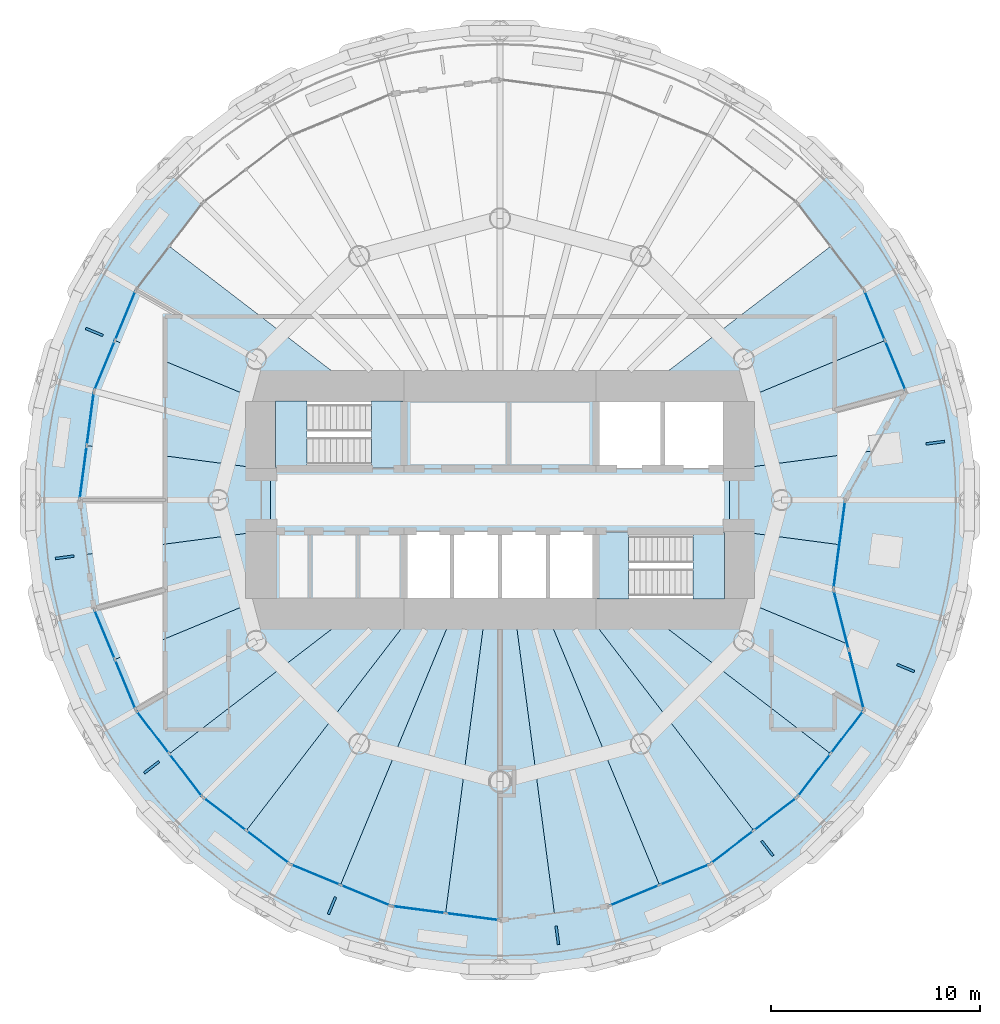
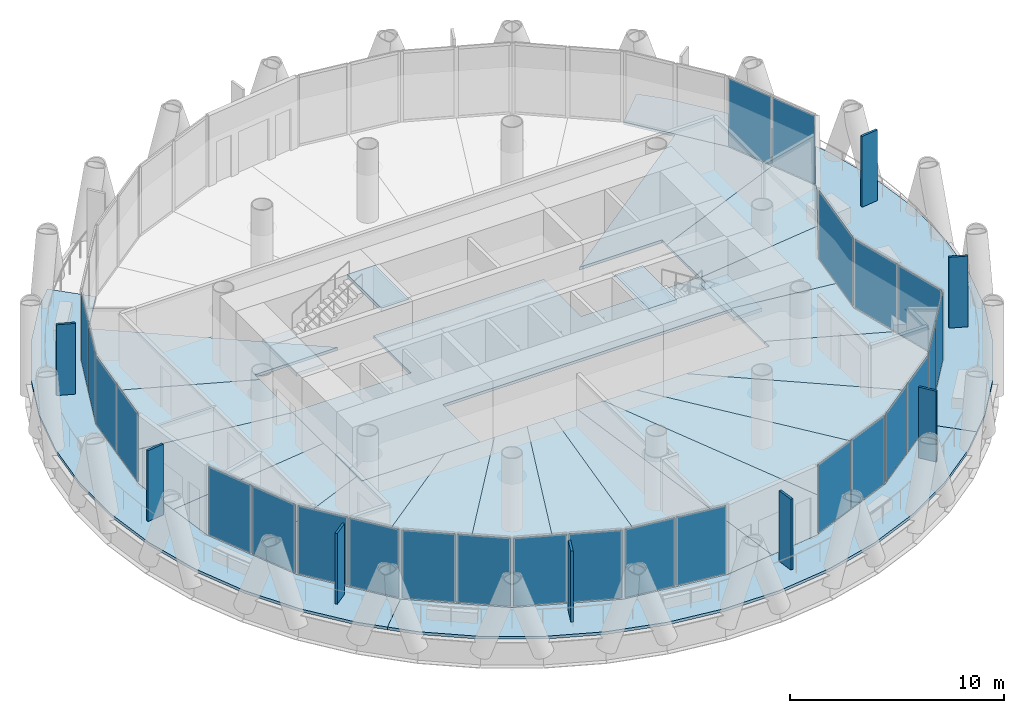
# One storey, part 7 of 13: 33 plates, 25 slabs, 15 elements without a shape of their own.
"""IFC4 building model written with IfcOpenShell, lengths in metres."""

from ifc_helpers import new_model, si_unit, direction, frame, origin, origin_2d, place, context, subcontext, project, spatial, polyline, rectangle, outline, extrude, material, layer, layer_set, type_object, element, aggregate, save


model = new_model("IFC4")

# Units and contexts
model_context = context("Model", 3, precision=1e-05, world=origin(), true_north=direction((0.0, 1.0)))
body_context = subcontext(model_context, "Body", "Model", "MODEL_VIEW")
ifc_project = project(units=[si_unit("LENGTHUNIT", "METRE"), si_unit("AREAUNIT", "SQUARE_METRE"), si_unit("VOLUMEUNIT", "CUBIC_METRE"), si_unit("PLANEANGLEUNIT", "RADIAN"), si_unit("MASSUNIT", "GRAM", prefix="KILO")], contexts=[model_context])

# Site, building, storey
site_placement = place(None, origin())
site = spatial("IfcSite", under=ifc_project, at=site_placement, CompositionType="ELEMENT")
building_placement = place(site_placement, origin())
building = spatial("IfcBuilding", under=site, at=building_placement, Name="Qaws Media Tower", CompositionType="ELEMENT")
storey_placement = place(building_placement, frame((0.0, 0.0, 223.39990234375)))
storey = spatial("IfcBuildingStorey", under=building, at=storey_placement, Name="L51", CompositionType="ELEMENT", Elevation=223.39990234375)

# Slabs
ifc_material_1 = material(Name="Concrete C35/45", Category="concrete")
ifc_layer_1 = layer(ifc_material_1, 0.159912109375)
ifc_layer_set_1 = layer_set([ifc_layer_1], Name="Composite balcony slab 160")
slab_type_1 = type_object("IfcSlabType", Name="Composite balcony slab 160", PredefinedType="FLOOR", material=ifc_layer_set_1)
slab_1_placement = place(storey_placement, frame((0.0, 0.0, -0.159912109375)))
element("IfcSlab", 1, at=slab_1_placement, inside=storey, type_object=slab_type_1, Name="S2 balcony slab L51 R10 to R16, movement joints on R10 and R16", PredefinedType="FLOOR", context=body_context, shape_type="SweptSolid", body=[
    extrude(outline(polyline([(43.0458984375, 35.1318359375), (41.25048828125, 37.471923828125), (39.775390625, 40.0263671875), (38.646728515625, 42.75146484375), (37.88330078125, 45.6005859375), (37.498291015625, 48.525146484375), (37.498291015625, 51.474853515625), (37.88330078125, 54.3994140625), (38.646728515625, 57.24853515625), (39.775390625, 59.9736328125), (41.25048828125, 62.528076171875), (43.0458984375, 64.8681640625), (44.0888671875, 65.9111328125), (45.751708984375, 64.248291015625), (42.549560546875, 60.074951171875), (40.53662109375, 55.215087890625), (39.85009765625, 50.0), (40.53662109375, 44.784912109375), (42.549560546875, 39.925048828125), (45.751708984375, 35.751708984375), (44.0888671875, 34.0888671875), (43.0458984375, 35.1318359375)])), origin(), (0.0, 0.0, 1.0), 0.159912109375),
])
slab_2_placement = place(storey_placement, frame((0.0, 0.0, -0.159912109375)))
element("IfcSlab", 2, at=slab_2_placement, inside=storey, type_object=slab_type_1, Name="S2 balcony slab L51 R16 to R22, movement joints on R16 and R22", PredefinedType="FLOOR", context=body_context, shape_type="SweptSolid", body=[
    extrude(outline(polyline([(74.8681640625, 33.0458984375), (72.528076171875, 31.25048828125), (69.9736328125, 29.775390625), (67.24853515625, 28.646728515625), (64.3994140625, 27.88330078125), (61.474853515625, 27.498291015625), (58.525146484375, 27.498291015625), (55.6005859375, 27.88330078125), (52.75146484375, 28.646728515625), (50.0263671875, 29.775390625), (47.471923828125, 31.25048828125), (45.1318359375, 33.0458984375), (44.0888671875, 34.0888671875), (45.751708984375, 35.751708984375), (49.925048828125, 32.549560546875), (54.784912109375, 30.53662109375), (60.0, 29.85009765625), (65.215087890625, 30.53662109375), (70.074951171875, 32.549560546875), (74.248291015625, 35.751708984375), (75.9111328125, 34.0888671875), (74.8681640625, 33.0458984375)])), origin(), (0.0, 0.0, 1.0), 0.159912109375),
])
slab_3_placement = place(storey_placement, frame((0.0, 0.0, -0.159912109375)))
element("IfcSlab", 3, at=slab_3_placement, inside=storey, type_object=slab_type_1, Name="S2 balcony slab L51 R22 to R04, movement joints on R22 and R04", PredefinedType="FLOOR", context=body_context, shape_type="SweptSolid", body=[
    extrude(outline(polyline([(82.11669921875, 45.6005859375), (81.353271484375, 42.75146484375), (80.224609375, 40.0263671875), (78.74951171875, 37.471923828125), (76.9541015625, 35.1318359375), (75.9111328125, 34.0888671875), (74.248291015625, 35.751708984375), (77.450439453125, 39.925048828125), (75.986083984375, 45.716552734375), (76.550048828125, 50.0), (79.46337890625, 55.215087890625), (77.450439453125, 60.074951171875), (74.248291015625, 64.248291015625), (75.9111328125, 65.9111328125), (76.9541015625, 64.8681640625), (78.74951171875, 62.528076171875), (80.224609375, 59.9736328125), (81.353271484375, 57.24853515625), (82.11669921875, 54.3994140625), (82.501708984375, 51.474853515625), (82.501708984375, 48.525146484375), (82.11669921875, 45.6005859375)])), origin(), (0.0, 0.0, 1.0), 0.159912109375),
])
ifc_material_2 = material(Name="Concrete C35/45", Category="concrete")
ifc_layer_2 = layer(ifc_material_2, 0.159912109375)
ifc_layer_set_2 = layer_set([ifc_layer_2], Name="Composite floor slab 160")
slab_type_2 = type_object("IfcSlabType", Name="Composite floor slab 160", PredefinedType="FLOOR", material=ifc_layer_set_2)
slab_4_placement = place(storey_placement, frame((0.0, 0.0, -0.159912109375)))
element("IfcSlab", 4, at=slab_4_placement, inside=storey, type_object=slab_type_2, Name="S1 core floor slab L51", PredefinedType="FLOOR", context=body_context, shape_type="SweptSolid", body=[
    extrude(outline(polyline([(71.0, 51.5), (71.0, 48.5), (55.39990234375, 48.5), (55.39990234375, 45.0), (49.0, 45.0), (49.0, 51.5), (55.39990234375, 51.5), (55.39990234375, 55.0), (64.60009765625, 55.0), (64.60009765625, 51.5), (71.0, 51.5)])), origin(), (0.0, 0.0, 1.0), 0.159912109375),
])
slab_5_placement = place(storey_placement, frame((0.0, 0.0, -0.159912109375)))
element("IfcSlab", 5, at=slab_5_placement, inside=storey, type_object=slab_type_2, Name="S1 floor panel L51 on R01", PredefinedType="FLOOR", context=body_context, shape_type="SweptSolid", body=[
    extrude(outline(polyline([(76.550048828125, 50.0), (76.26806640625, 47.8583984375), (71.0, 48.5517578125), (71.0, 51.4482421875), (77.86376953125, 52.351806640625), (76.550048828125, 50.0)])), origin(), (0.0, 0.0, 1.0), 0.159912109375),
])
slab_6_placement = place(storey_placement, frame((0.0, 0.0, -0.159912109375)))
element("IfcSlab", 6, at=slab_6_placement, inside=storey, type_object=slab_type_2, Name="S1 floor panel L51 on R02", PredefinedType="FLOOR", context=body_context, shape_type="SweptSolid", body=[
    extrude(outline(polyline([(79.46337890625, 55.215087890625), (77.86376953125, 52.351806640625), (71.0, 51.4482421875), (71.0, 54.556396484375), (78.456787109375, 57.64501953125), (79.46337890625, 55.215087890625)])), origin(), (0.0, 0.0, 1.0), 0.159912109375),
])
slab_7_placement = place(storey_placement, frame((0.0, 0.0, -0.159912109375)))
element("IfcSlab", 7, at=slab_7_placement, inside=storey, type_object=slab_type_2, Name="S1 floor panel L51 on R03", PredefinedType="FLOOR", context=body_context, shape_type="SweptSolid", body=[
    extrude(outline(polyline([(77.450439453125, 60.074951171875), (78.456787109375, 57.64501953125), (71.0, 54.556396484375), (71.0, 55.0), (66.51611328125, 55.0), (75.849365234375, 62.16162109375), (77.450439453125, 60.074951171875)])), origin(), (0.0, 0.0, 1.0), 0.159912109375),
])
slab_8_placement = place(storey_placement, frame((0.0, 0.0, -0.159912109375)))
element("IfcSlab", 8, at=slab_8_placement, inside=storey, type_object=slab_type_2, Name="S1 floor panel L51 on R11", PredefinedType="FLOOR", context=body_context, shape_type="SweptSolid", body=[
    extrude(outline(polyline([(42.549560546875, 60.074951171875), (44.150634765625, 62.16162109375), (53.48388671875, 55.0), (49.0, 55.0), (49.0, 54.556396484375), (41.543212890625, 57.64501953125), (42.549560546875, 60.074951171875)])), origin(), (0.0, 0.0, 1.0), 0.159912109375),
])
slab_9_placement = place(storey_placement, frame((0.0, 0.0, -0.159912109375)))
element("IfcSlab", 9, at=slab_9_placement, inside=storey, type_object=slab_type_2, Name="S1 floor panel L51 on R12", PredefinedType="FLOOR", context=body_context, shape_type="SweptSolid", body=[
    extrude(outline(polyline([(40.53662109375, 55.215087890625), (41.543212890625, 57.64501953125), (49.0, 54.556396484375), (49.0, 51.4482421875), (40.193359375, 52.607666015625), (40.53662109375, 55.215087890625)])), origin(), (0.0, 0.0, 1.0), 0.159912109375),
])
slab_10_placement = place(storey_placement, frame((0.0, 0.0, -0.159912109375)))
element("IfcSlab", 10, at=slab_10_placement, inside=storey, type_object=slab_type_2, Name="S1 floor panel L51 on R13", PredefinedType="FLOOR", context=body_context, shape_type="SweptSolid", body=[
    extrude(outline(polyline([(39.85009765625, 50.0), (40.193359375, 52.607666015625), (49.0, 51.4482421875), (49.0, 48.5517578125), (40.193359375, 47.392333984375), (39.85009765625, 50.0)])), origin(), (0.0, 0.0, 1.0), 0.159912109375),
])
slab_11_placement = place(storey_placement, frame((0.0, 0.0, -0.159912109375)))
element("IfcSlab", 11, at=slab_11_placement, inside=storey, type_object=slab_type_2, Name="S1 floor panel L51 on R14", PredefinedType="FLOOR", context=body_context, shape_type="SweptSolid", body=[
    extrude(outline(polyline([(40.53662109375, 44.784912109375), (40.193359375, 47.392333984375), (49.0, 48.5517578125), (49.0, 45.443603515625), (41.543212890625, 42.35498046875), (40.53662109375, 44.784912109375)])), origin(), (0.0, 0.0, 1.0), 0.159912109375),
])
slab_12_placement = place(storey_placement, frame((0.0, 0.0, -0.159912109375)))
element("IfcSlab", 12, at=slab_12_placement, inside=storey, type_object=slab_type_2, Name="S1 floor panel L51 on R15", PredefinedType="FLOOR", context=body_context, shape_type="SweptSolid", body=[
    extrude(outline(polyline([(42.549560546875, 39.925048828125), (41.543212890625, 42.35498046875), (49.0, 45.443603515625), (49.0, 45.0), (53.48388671875, 45.0), (44.150634765625, 37.83837890625), (42.549560546875, 39.925048828125)])), origin(), (0.0, 0.0, 1.0), 0.159912109375),
])
slab_13_placement = place(storey_placement, frame((0.0, 0.0, -0.159912109375)))
element("IfcSlab", 13, at=slab_13_placement, inside=storey, type_object=slab_type_2, Name="S1 floor panel L51 on R16", PredefinedType="FLOOR", context=body_context, shape_type="SweptSolid", body=[
    extrude(outline(polyline([(45.751708984375, 35.751708984375), (44.150634765625, 37.83837890625), (53.48388671875, 45.0), (56.163330078125, 45.0), (47.83837890625, 34.150634765625), (45.751708984375, 35.751708984375)])), origin(), (0.0, 0.0, 1.0), 0.159912109375),
])
slab_14_placement = place(storey_placement, frame((0.0, 0.0, -0.159912109375)))
element("IfcSlab", 14, at=slab_14_placement, inside=storey, type_object=slab_type_2, Name="S1 floor panel L51 on R17", PredefinedType="FLOOR", context=body_context, shape_type="SweptSolid", body=[
    extrude(outline(polyline([(49.925048828125, 32.549560546875), (47.83837890625, 34.150634765625), (56.163330078125, 45.0), (57.928955078125, 45.0), (52.35498046875, 31.543212890625), (49.925048828125, 32.549560546875)])), origin(), (0.0, 0.0, 1.0), 0.159912109375),
])
slab_15_placement = place(storey_placement, frame((0.0, 0.0, -0.159912109375)))
element("IfcSlab", 15, at=slab_15_placement, inside=storey, type_object=slab_type_2, Name="S1 floor panel L51 on R18", PredefinedType="FLOOR", context=body_context, shape_type="SweptSolid", body=[
    extrude(outline(polyline([(54.784912109375, 30.53662109375), (52.35498046875, 31.543212890625), (57.928955078125, 45.0), (59.341796875, 45.0), (57.392333984375, 30.193359375), (54.784912109375, 30.53662109375)])), origin(), (0.0, 0.0, 1.0), 0.159912109375),
])
slab_16_placement = place(storey_placement, frame((0.0, 0.0, -0.159912109375)))
element("IfcSlab", 16, at=slab_16_placement, inside=storey, type_object=slab_type_2, Name="S1 floor panel L51 on R19", PredefinedType="FLOOR", context=body_context, shape_type="SweptSolid", body=[
    extrude(outline(polyline([(60.0, 29.85009765625), (57.392333984375, 30.193359375), (59.341796875, 45.0), (60.658203125, 45.0), (62.607666015625, 30.193359375), (60.0, 29.85009765625)])), origin(), (0.0, 0.0, 1.0), 0.159912109375),
])
slab_17_placement = place(storey_placement, frame((0.0, 0.0, -0.159912109375)))
element("IfcSlab", 17, at=slab_17_placement, inside=storey, type_object=slab_type_2, Name="S1 floor panel L51 on R20", PredefinedType="FLOOR", context=body_context, shape_type="SweptSolid", body=[
    extrude(outline(polyline([(65.215087890625, 30.53662109375), (62.607666015625, 30.193359375), (60.658203125, 45.0), (62.071044921875, 45.0), (67.64501953125, 31.543212890625), (65.215087890625, 30.53662109375)])), origin(), (0.0, 0.0, 1.0), 0.159912109375),
])
slab_18_placement = place(storey_placement, frame((0.0, 0.0, -0.159912109375)))
element("IfcSlab", 18, at=slab_18_placement, inside=storey, type_object=slab_type_2, Name="S1 floor panel L51 on R21", PredefinedType="FLOOR", context=body_context, shape_type="SweptSolid", body=[
    extrude(outline(polyline([(70.074951171875, 32.549560546875), (67.64501953125, 31.543212890625), (62.071044921875, 45.0), (63.836669921875, 45.0), (72.16162109375, 34.150634765625), (70.074951171875, 32.549560546875)])), origin(), (0.0, 0.0, 1.0), 0.159912109375),
])
slab_19_placement = place(storey_placement, frame((0.0, 0.0, -0.159912109375)))
element("IfcSlab", 19, at=slab_19_placement, inside=storey, type_object=slab_type_2, Name="S1 floor panel L51 on R22", PredefinedType="FLOOR", context=body_context, shape_type="SweptSolid", body=[
    extrude(outline(polyline([(74.248291015625, 35.751708984375), (72.16162109375, 34.150634765625), (63.836669921875, 45.0), (66.51611328125, 45.0), (75.849365234375, 37.83837890625), (74.248291015625, 35.751708984375)])), origin(), (0.0, 0.0, 1.0), 0.159912109375),
])
slab_20_placement = place(storey_placement, frame((0.0, 0.0, -0.159912109375)))
element("IfcSlab", 20, at=slab_20_placement, inside=storey, type_object=slab_type_2, Name="S1 floor panel L51 on R23", PredefinedType="FLOOR", context=body_context, shape_type="SweptSolid", body=[
    extrude(outline(polyline([(77.450439453125, 39.925048828125), (75.849365234375, 37.83837890625), (66.51611328125, 45.0), (71.0, 45.0), (71.0, 45.443603515625), (76.646484375, 43.104736328125), (77.450439453125, 39.925048828125)])), origin(), (0.0, 0.0, 1.0), 0.159912109375),
])
slab_21_placement = place(storey_placement, frame((0.0, 0.0, -0.159912109375)))
element("IfcSlab", 21, at=slab_21_placement, inside=storey, type_object=slab_type_2, Name="S1 floor panel L51 on R24", PredefinedType="FLOOR", context=body_context, shape_type="SweptSolid", body=[
    extrude(outline(polyline([(76.646484375, 43.104736328125), (71.0, 45.443603515625), (71.0, 48.5517578125), (76.26806640625, 47.8583984375), (75.986083984375, 45.716552734375), (76.646484375, 43.104736328125)])), origin(), (0.0, 0.0, 1.0), 0.159912109375),
])

# Curtain wall, plates
ifc_material_3 = material(Name="Aluminium and clear glass", Category="aluminium")
curtain_wall_type_1 = type_object("IfcCurtainWallType", Name="Unitised curtain wall CW-C", PredefinedType="NOTDEFINED", material=ifc_material_3)
curtain_wall_1_placement = place(storey_placement, origin())
curtain_wall_1 = element("IfcCurtainWall", 22, at=curtain_wall_1_placement, inside=storey, type_object=curtain_wall_type_1, Name="CWC curtain wall L51-02", PredefinedType="NOTDEFINED")
ifc_material_4 = material(Name="Clear laminated double glazing", Category="glass")
ifc_layer_3 = layer(ifc_material_4, 0.031982421875)
ifc_layer_set_3 = layer_set([ifc_layer_3], Name="Curtain wall glass unit 32")
plate_type_1 = type_object("IfcPlateType", Name="Curtain wall glass unit 32", PredefinedType="CURTAIN_PANEL", material=ifc_layer_set_3)
plate_1_placement = place(storey_placement, frame((78.952392578125, 56.44873046875, 0.080078125), z_axis=(0.0, 0.0, 1.0), x_axis=(-0.382683365254, 0.92387956031, 0.0)))
plate_1 = element("IfcPlate", 23, at=plate_1_placement, type_object=plate_type_1, Name="CWC panel 1.1", PredefinedType="CURTAIN_PANEL", context=body_context, shape_type="SweptSolid", body=[
    extrude(rectangle(XDim=2.510009765625, YDim=0.031982421875, at=origin_2d()), origin(), (0.0, 0.0, 1.0), 3.8798828125),
])
plate_2_placement = place(storey_placement, frame((77.96142578125, 58.841552734375, 0.080078125), z_axis=(0.0, 0.0, 1.0), x_axis=(-0.382683365254, 0.92387956031, 0.0)))
plate_2 = element("IfcPlate", 24, at=plate_2_placement, type_object=plate_type_1, Name="CWC panel 2.1", PredefinedType="CURTAIN_PANEL", context=body_context, shape_type="SweptSolid", body=[
    extrude(rectangle(XDim=2.510009765625, YDim=0.031982421875, at=origin_2d()), origin(), (0.0, 0.0, 1.0), 3.8798828125),
])
aggregate(curtain_wall_1, [plate_1, plate_2])

curtain_wall_2_placement = place(storey_placement, origin())
curtain_wall_2 = element("IfcCurtainWall", 25, at=curtain_wall_2_placement, inside=storey, type_object=curtain_wall_type_1, Name="CWC curtain wall L51-11", PredefinedType="NOTDEFINED")
plate_3_placement = place(storey_placement, frame((42.03857421875, 58.841552734375, 0.080078125), z_axis=(0.0, 0.0, 1.0), x_axis=(-0.382683365254, -0.92387956031, 0.0)))
plate_3 = element("IfcPlate", 26, at=plate_3_placement, type_object=plate_type_1, Name="CWC panel 1.1", PredefinedType="CURTAIN_PANEL", context=body_context, shape_type="SweptSolid", body=[
    extrude(rectangle(XDim=2.510009765625, YDim=0.031982421875, at=origin_2d()), origin(), (0.0, 0.0, 1.0), 3.8798828125),
])
plate_4_placement = place(storey_placement, frame((41.047607421875, 56.44873046875, 0.080078125), z_axis=(0.0, 0.0, 1.0), x_axis=(-0.382683365254, -0.92387956031, 0.0)))
plate_4 = element("IfcPlate", 27, at=plate_4_placement, type_object=plate_type_1, Name="CWC panel 2.1", PredefinedType="CURTAIN_PANEL", context=body_context, shape_type="SweptSolid", body=[
    extrude(rectangle(XDim=2.510009765625, YDim=0.031982421875, at=origin_2d()), origin(), (0.0, 0.0, 1.0), 3.8798828125),
])
aggregate(curtain_wall_2, [plate_3, plate_4])

curtain_wall_3_placement = place(storey_placement, origin())
curtain_wall_3 = element("IfcCurtainWall", 28, at=curtain_wall_3_placement, inside=storey, type_object=curtain_wall_type_1, Name="CWC curtain wall L51-12", PredefinedType="NOTDEFINED")
plate_5_placement = place(storey_placement, frame((40.3623046875, 53.8916015625, 0.080078125), z_axis=(0.0, 0.0, 1.0), x_axis=(-0.130526260986, -0.991444852321, 0.0)))
plate_5 = element("IfcPlate", 29, at=plate_5_placement, type_object=plate_type_1, Name="CWC panel 1.1", PredefinedType="CURTAIN_PANEL", context=body_context, shape_type="SweptSolid", body=[
    extrude(rectangle(XDim=2.510009765625, YDim=0.031982421875, at=origin_2d()), origin(), (0.0, 0.0, 1.0), 3.8798828125),
])
plate_6_placement = place(storey_placement, frame((40.024169921875, 51.32373046875, 0.080078125), z_axis=(0.0, 0.0, 1.0), x_axis=(-0.130526260986, -0.991444852321, 0.0)))
plate_6 = element("IfcPlate", 30, at=plate_6_placement, type_object=plate_type_1, Name="CWC panel 2.1", PredefinedType="CURTAIN_PANEL", context=body_context, shape_type="SweptSolid", body=[
    extrude(rectangle(XDim=2.510009765625, YDim=0.031982421875, at=origin_2d()), origin(), (0.0, 0.0, 1.0), 3.8798828125),
])
aggregate(curtain_wall_3, [plate_5, plate_6])

curtain_wall_4_placement = place(storey_placement, origin())
curtain_wall_4 = element("IfcCurtainWall", 31, at=curtain_wall_4_placement, inside=storey, type_object=curtain_wall_type_1, Name="CWC curtain wall L51-14", PredefinedType="NOTDEFINED")
plate_7_placement = place(storey_placement, frame((41.047607421875, 43.55126953125, 0.080078125), z_axis=(0.0, 0.0, 1.0), x_axis=(0.382683365254, -0.92387956031, 0.0)))
plate_7 = element("IfcPlate", 32, at=plate_7_placement, type_object=plate_type_1, Name="CWC panel 1.1", PredefinedType="CURTAIN_PANEL", context=body_context, shape_type="SweptSolid", body=[
    extrude(rectangle(XDim=2.510009765625, YDim=0.031982421875, at=origin_2d()), origin(), (0.0, 0.0, 1.0), 3.8798828125),
])
plate_8_placement = place(storey_placement, frame((42.03857421875, 41.158447265625, 0.080078125), z_axis=(0.0, 0.0, 1.0), x_axis=(0.382683365254, -0.92387956031, 0.0)))
plate_8 = element("IfcPlate", 33, at=plate_8_placement, type_object=plate_type_1, Name="CWC panel 2.1", PredefinedType="CURTAIN_PANEL", context=body_context, shape_type="SweptSolid", body=[
    extrude(rectangle(XDim=2.510009765625, YDim=0.031982421875, at=origin_2d()), origin(), (0.0, 0.0, 1.0), 3.8798828125),
])
aggregate(curtain_wall_4, [plate_7, plate_8])

curtain_wall_5_placement = place(storey_placement, origin())
curtain_wall_5 = element("IfcCurtainWall", 34, at=curtain_wall_5_placement, inside=storey, type_object=curtain_wall_type_1, Name="CWC curtain wall L51-15", PredefinedType="NOTDEFINED")
plate_9_placement = place(storey_placement, frame((43.3623046875, 38.86572265625, 0.080078125), z_axis=(0.0, 0.0, 1.0), x_axis=(0.608761366685, -0.793353388114, 0.0)))
plate_9 = element("IfcPlate", 35, at=plate_9_placement, type_object=plate_type_1, Name="CWC panel 1.1", PredefinedType="CURTAIN_PANEL", context=body_context, shape_type="SweptSolid", body=[
    extrude(rectangle(XDim=2.510009765625, YDim=0.031982421875, at=origin_2d()), origin(), (0.0, 0.0, 1.0), 3.8798828125),
])
plate_10_placement = place(storey_placement, frame((44.93896484375, 36.81103515625, 0.080078125), z_axis=(0.0, 0.0, 1.0), x_axis=(0.608761366685, -0.793353388114, 0.0)))
plate_10 = element("IfcPlate", 36, at=plate_10_placement, type_object=plate_type_1, Name="CWC panel 2.1", PredefinedType="CURTAIN_PANEL", context=body_context, shape_type="SweptSolid", body=[
    extrude(rectangle(XDim=2.510009765625, YDim=0.031982421875, at=origin_2d()), origin(), (0.0, 0.0, 1.0), 3.8798828125),
])
aggregate(curtain_wall_5, [plate_9, plate_10])

curtain_wall_6_placement = place(storey_placement, origin())
curtain_wall_6 = element("IfcCurtainWall", 37, at=curtain_wall_6_placement, inside=storey, type_object=curtain_wall_type_1, Name="CWC curtain wall L51-16", PredefinedType="NOTDEFINED")
plate_11_placement = place(storey_placement, frame((46.81103515625, 34.93896484375, 0.080078125), z_axis=(0.0, 0.0, 1.0), x_axis=(0.793353388114, -0.608761366685, 0.0)))
plate_11 = element("IfcPlate", 38, at=plate_11_placement, type_object=plate_type_1, Name="CWC panel 1.1", PredefinedType="CURTAIN_PANEL", context=body_context, shape_type="SweptSolid", body=[
    extrude(rectangle(XDim=2.510009765625, YDim=0.031982421875, at=origin_2d()), origin(), (0.0, 0.0, 1.0), 3.8798828125),
])
plate_12_placement = place(storey_placement, frame((48.86572265625, 33.3623046875, 0.080078125), z_axis=(0.0, 0.0, 1.0), x_axis=(0.793353388114, -0.608761366685, 0.0)))
plate_12 = element("IfcPlate", 39, at=plate_12_placement, type_object=plate_type_1, Name="CWC panel 2.1", PredefinedType="CURTAIN_PANEL", context=body_context, shape_type="SweptSolid", body=[
    extrude(rectangle(XDim=2.510009765625, YDim=0.031982421875, at=origin_2d()), origin(), (0.0, 0.0, 1.0), 3.8798828125),
])
aggregate(curtain_wall_6, [plate_11, plate_12])

curtain_wall_7_placement = place(storey_placement, origin())
curtain_wall_7 = element("IfcCurtainWall", 40, at=curtain_wall_7_placement, inside=storey, type_object=curtain_wall_type_1, Name="CWC curtain wall L51-17", PredefinedType="NOTDEFINED")
plate_13_placement = place(storey_placement, frame((51.158447265625, 32.03857421875, 0.080078125), z_axis=(0.0, 0.0, 1.0), x_axis=(0.92387956031, -0.382683365254, 0.0)))
plate_13 = element("IfcPlate", 41, at=plate_13_placement, type_object=plate_type_1, Name="CWC panel 1.1", PredefinedType="CURTAIN_PANEL", context=body_context, shape_type="SweptSolid", body=[
    extrude(rectangle(XDim=2.510009765625, YDim=0.031982421875, at=origin_2d()), origin(), (0.0, 0.0, 1.0), 3.8798828125),
])
plate_14_placement = place(storey_placement, frame((53.55126953125, 31.047607421875, 0.080078125), z_axis=(0.0, 0.0, 1.0), x_axis=(0.92387956031, -0.382683365254, 0.0)))
plate_14 = element("IfcPlate", 42, at=plate_14_placement, type_object=plate_type_1, Name="CWC panel 2.1", PredefinedType="CURTAIN_PANEL", context=body_context, shape_type="SweptSolid", body=[
    extrude(rectangle(XDim=2.510009765625, YDim=0.031982421875, at=origin_2d()), origin(), (0.0, 0.0, 1.0), 3.8798828125),
])
aggregate(curtain_wall_7, [plate_13, plate_14])

curtain_wall_8_placement = place(storey_placement, origin())
curtain_wall_8 = element("IfcCurtainWall", 43, at=curtain_wall_8_placement, inside=storey, type_object=curtain_wall_type_1, Name="CWC curtain wall L51-18", PredefinedType="NOTDEFINED")
plate_15_placement = place(storey_placement, frame((56.1083984375, 30.3623046875, 0.080078125), z_axis=(0.0, 0.0, 1.0), x_axis=(0.991444852321, -0.130526260986, 0.0)))
plate_15 = element("IfcPlate", 44, at=plate_15_placement, type_object=plate_type_1, Name="CWC panel 1.1", PredefinedType="CURTAIN_PANEL", context=body_context, shape_type="SweptSolid", body=[
    extrude(rectangle(XDim=2.510009765625, YDim=0.031982421875, at=origin_2d()), origin(), (0.0, 0.0, 1.0), 3.8798828125),
])
plate_16_placement = place(storey_placement, frame((58.67626953125, 30.024169921875, 0.080078125), z_axis=(0.0, 0.0, 1.0), x_axis=(0.991444852321, -0.130526260986, 0.0)))
plate_16 = element("IfcPlate", 45, at=plate_16_placement, type_object=plate_type_1, Name="CWC panel 2.1", PredefinedType="CURTAIN_PANEL", context=body_context, shape_type="SweptSolid", body=[
    extrude(rectangle(XDim=2.510009765625, YDim=0.031982421875, at=origin_2d()), origin(), (0.0, 0.0, 1.0), 3.8798828125),
])
aggregate(curtain_wall_8, [plate_15, plate_16])

curtain_wall_9_placement = place(storey_placement, origin())
curtain_wall_9 = element("IfcCurtainWall", 46, at=curtain_wall_9_placement, inside=storey, type_object=curtain_wall_type_1, Name="CWC curtain wall L51-20", PredefinedType="NOTDEFINED")
plate_17_placement = place(storey_placement, frame((66.44873046875, 31.047607421875, 0.080078125), z_axis=(0.0, 0.0, 1.0), x_axis=(0.92387956031, 0.382683365254, 0.0)))
plate_17 = element("IfcPlate", 47, at=plate_17_placement, type_object=plate_type_1, Name="CWC panel 1.1", PredefinedType="CURTAIN_PANEL", context=body_context, shape_type="SweptSolid", body=[
    extrude(rectangle(XDim=2.510009765625, YDim=0.031982421875, at=origin_2d()), origin(), (0.0, 0.0, 1.0), 3.8798828125),
])
plate_18_placement = place(storey_placement, frame((68.841552734375, 32.03857421875, 0.080078125), z_axis=(0.0, 0.0, 1.0), x_axis=(0.92387956031, 0.382683365254, 0.0)))
plate_18 = element("IfcPlate", 48, at=plate_18_placement, type_object=plate_type_1, Name="CWC panel 2.1", PredefinedType="CURTAIN_PANEL", context=body_context, shape_type="SweptSolid", body=[
    extrude(rectangle(XDim=2.510009765625, YDim=0.031982421875, at=origin_2d()), origin(), (0.0, 0.0, 1.0), 3.8798828125),
])
aggregate(curtain_wall_9, [plate_17, plate_18])

curtain_wall_10_placement = place(storey_placement, origin())
curtain_wall_10 = element("IfcCurtainWall", 49, at=curtain_wall_10_placement, inside=storey, type_object=curtain_wall_type_1, Name="CWC curtain wall L51-21", PredefinedType="NOTDEFINED")
plate_19_placement = place(storey_placement, frame((71.13427734375, 33.3623046875, 0.080078125), z_axis=(0.0, 0.0, 1.0), x_axis=(0.793353388114, 0.608761366685, 0.0)))
plate_19 = element("IfcPlate", 50, at=plate_19_placement, type_object=plate_type_1, Name="CWC panel 1.1", PredefinedType="CURTAIN_PANEL", context=body_context, shape_type="SweptSolid", body=[
    extrude(rectangle(XDim=2.510009765625, YDim=0.031982421875, at=origin_2d()), origin(), (0.0, 0.0, 1.0), 3.8798828125),
])
plate_20_placement = place(storey_placement, frame((73.18896484375, 34.93896484375, 0.080078125), z_axis=(0.0, 0.0, 1.0), x_axis=(0.793353388114, 0.608761366685, 0.0)))
plate_20 = element("IfcPlate", 51, at=plate_20_placement, type_object=plate_type_1, Name="CWC panel 2.1", PredefinedType="CURTAIN_PANEL", context=body_context, shape_type="SweptSolid", body=[
    extrude(rectangle(XDim=2.510009765625, YDim=0.031982421875, at=origin_2d()), origin(), (0.0, 0.0, 1.0), 3.8798828125),
])
aggregate(curtain_wall_10, [plate_19, plate_20])

curtain_wall_11_placement = place(storey_placement, origin())
curtain_wall_11 = element("IfcCurtainWall", 52, at=curtain_wall_11_placement, inside=storey, type_object=curtain_wall_type_1, Name="CWC curtain wall L51-22", PredefinedType="NOTDEFINED")
plate_21_placement = place(storey_placement, frame((75.06103515625, 36.81103515625, 0.080078125), z_axis=(0.0, 0.0, 1.0), x_axis=(0.608761366685, 0.793353388114, 0.0)))
plate_21 = element("IfcPlate", 53, at=plate_21_placement, type_object=plate_type_1, Name="CWC panel 1.1", PredefinedType="CURTAIN_PANEL", context=body_context, shape_type="SweptSolid", body=[
    extrude(rectangle(XDim=2.510009765625, YDim=0.031982421875, at=origin_2d()), origin(), (0.0, 0.0, 1.0), 3.8798828125),
])
plate_22_placement = place(storey_placement, frame((76.6376953125, 38.86572265625, 0.080078125), z_axis=(0.0, 0.0, 1.0), x_axis=(0.608761366685, 0.793353388114, 0.0)))
plate_22 = element("IfcPlate", 54, at=plate_22_placement, type_object=plate_type_1, Name="CWC panel 2.1", PredefinedType="CURTAIN_PANEL", context=body_context, shape_type="SweptSolid", body=[
    extrude(rectangle(XDim=2.510009765625, YDim=0.031982421875, at=origin_2d()), origin(), (0.0, 0.0, 1.0), 3.8798828125),
])
aggregate(curtain_wall_11, [plate_21, plate_22])

ifc_material_5 = material(Name="Aluminium and clear glass", Category="aluminium")
curtain_wall_type_2 = type_object("IfcCurtainWallType", Name="Loggia curtain wall CW-G", PredefinedType="NOTDEFINED", material=ifc_material_5)
curtain_wall_12_placement = place(storey_placement, origin())
curtain_wall_12 = element("IfcCurtainWall", 55, at=curtain_wall_12_placement, inside=storey, type_object=curtain_wall_type_2, Name="CWG curtain wall L51-23", PredefinedType="NOTDEFINED")
plate_23_placement = place(storey_placement, frame((77.079345703125, 41.392333984375, 0.080078125), z_axis=(0.0, 0.0, 1.0), x_axis=(-0.245127059336, 0.969490961681, 0.0)))
plate_23 = element("IfcPlate", 56, at=plate_23_placement, type_object=plate_type_1, Name="CWG panel 1.1", PredefinedType="CURTAIN_PANEL", context=body_context, shape_type="SweptSolid", body=[
    extrude(rectangle(XDim=2.866943359375, YDim=0.031982421875, at=origin_2d()), origin(), (0.0, 0.0, 1.0), 3.8798828125),
])
plate_24_placement = place(storey_placement, frame((76.357177734375, 44.249267578125, 0.080078125), z_axis=(0.0, 0.0, 1.0), x_axis=(-0.245127059336, 0.969490961681, 0.0)))
plate_24 = element("IfcPlate", 57, at=plate_24_placement, type_object=plate_type_1, Name="CWG panel 2.1", PredefinedType="CURTAIN_PANEL", context=body_context, shape_type="SweptSolid", body=[
    extrude(rectangle(XDim=2.866943359375, YDim=0.031982421875, at=origin_2d()), origin(), (0.0, 0.0, 1.0), 3.8798828125),
])
aggregate(curtain_wall_12, [plate_23, plate_24])

# Curtain wall, plate
curtain_wall_13_placement = place(storey_placement, origin())
curtain_wall_13 = element("IfcCurtainWall", 58, at=curtain_wall_13_placement, inside=storey, type_object=curtain_wall_type_2, Name="CWG curtain wall L51-24", PredefinedType="NOTDEFINED")
plate_25_placement = place(storey_placement, frame((76.26806640625, 47.858154296875, 0.080078125), z_axis=(0.0, 0.0, 1.0), x_axis=(0.130526294815, 0.991444847867, 0.0)))
plate_25 = element("IfcPlate", 59, at=plate_25_placement, type_object=plate_type_1, Name="CWG panel 1.1", PredefinedType="CURTAIN_PANEL", context=body_context, shape_type="SweptSolid", body=[
    extrude(rectangle(XDim=4.160400390625, YDim=0.031982421875, at=origin_2d()), origin(), (0.0, 0.0, 1.0), 3.8798828125),
])
aggregate(curtain_wall_13, [plate_25])

# Plates
ifc_material_6 = material(Name="Precast concrete screen fin", Category="concrete")
ifc_layer_4 = layer(ifc_material_6, 0.1201171875)
ifc_layer_set_4 = layer_set([ifc_layer_4], Name="Screen fin 120x900")
plate_type_2 = type_object("IfcPlateType", Name="Screen fin 120x900", PredefinedType="USERDEFINED", material=ifc_layer_set_4)
for number, where, z_axis, x_axis, name in (
    (60, (80.869873046875, 52.74755859375, 0.0), (0.0, 0.0, 1.0), (0.991444861374, 0.13052619222, 0.0), "SCR1 screen fin L51-01"),
    (61, (40.55224609375, 58.055419921875, 0.0), (0.0, 0.0, 1.0), (-0.923879532511, 0.382683432365, 0.0), "SCR1 screen fin L51-06"),
    (62, (39.130126953125, 47.25244140625, 0.0), (0.0, 0.0, 1.0), (-0.991444861374, -0.13052619222, 0.0), "SCR1 screen fin L51-07"),
    (63, (43.2998046875, 37.185546875, 0.0), (0.0, 0.0, 1.0), (-0.793353340291, -0.608761429009, 0.0), "SCR1 screen fin L51-08"),
    (64, (51.944580078125, 30.55224609375, 0.0), (0.0, 0.0, 1.0), (-0.382683432365, -0.923879532511, 0.0), "SCR1 screen fin L51-09"),
    (65, (62.74755859375, 29.130126953125, 0.0), (0.0, 0.0, 1.0), (0.13052619222, -0.991444861374, 0.0), "SCR1 screen fin L51-10"),
    (66, (72.814453125, 33.2998046875, 0.0), (0.0, 0.0, 1.0), (0.608761429009, -0.793353340291, 0.0), "SCR1 screen fin L51-11"),
    (67, (79.44775390625, 41.944580078125, 0.0), (0.0, 0.0, 1.0), (0.923879532511, -0.382683432365, 0.0), "SCR1 screen fin L51-12"),
):
    element("IfcPlate", number, at=place(storey_placement, frame(where, z_axis=z_axis, x_axis=x_axis)), inside=storey, type_object=plate_type_2, Name=name, ObjectType="SCREEN", PredefinedType="USERDEFINED", context=body_context, shape_type="SweptSolid", body=[
        extrude(rectangle(XDim=0.89990234375, YDim=0.1201171875, at=origin_2d()), origin(), (0.0, 0.0, 1.0), 4.0400390625),
    ])

# Stair, slabs
ifc_material_7 = material(Name="Concrete C40/50", Category="concrete")
stair_type = type_object("IfcStairType", Name="Exit stair", PredefinedType="HALF_TURN_STAIR", material=ifc_material_7)
stair_1_placement = place(storey_placement, origin())
stair_1 = element("IfcStair", 68, at=stair_1_placement, inside=storey, type_object=stair_type, Name="S1 exit stair L51", PredefinedType="HALF_TURN_STAIR")
ifc_material_8 = material(Name="Concrete C40/50", Category="concrete")
ifc_layer_5 = layer(ifc_material_8, 0.199951171875)
ifc_layer_set_5 = layer_set([ifc_layer_5], Name="Stair landing 200")
slab_type_3 = type_object("IfcSlabType", Name="Stair landing 200", PredefinedType="LANDING", material=ifc_layer_set_5)
slab_22_placement = place(storey_placement, frame((0.0, 0.0, 1.900146484375)))
slab_22 = element("IfcSlab", 69, at=slab_22_placement, type_object=slab_type_3, Name="S1 landing 1", PredefinedType="LANDING", context=body_context, shape_type="SweptSolid", body=[
    extrude(outline(polyline([(49.25, 51.550048828125), (50.760009765625, 51.550048828125), (50.760009765625, 54.75), (49.25, 54.75), (49.25, 51.550048828125)])), origin(), (0.0, 0.0, 1.0), 0.199951171875),
])
slab_23_placement = place(storey_placement, frame((0.0, 0.0, 4.0)))
slab_23 = element("IfcSlab", 70, at=slab_23_placement, type_object=slab_type_3, Name="S1 landing 2", PredefinedType="LANDING", context=body_context, shape_type="SweptSolid", body=[
    extrude(outline(polyline([(53.840087890625, 51.550048828125), (55.35009765625, 51.550048828125), (55.35009765625, 54.75), (53.840087890625, 54.75), (53.840087890625, 51.550048828125)])), origin(), (0.0, 0.0, 1.0), 0.2001953125),
])
aggregate(stair_1, [slab_22, slab_23])

stair_2_placement = place(storey_placement, origin())
stair_2 = element("IfcStair", 71, at=stair_2_placement, inside=storey, type_object=stair_type, Name="S2 exit stair L51", PredefinedType="HALF_TURN_STAIR")
slab_24_placement = place(storey_placement, frame((0.0, 0.0, 1.900146484375)))
slab_24 = element("IfcSlab", 72, at=slab_24_placement, type_object=slab_type_3, Name="S2 landing 1", PredefinedType="LANDING", context=body_context, shape_type="SweptSolid", body=[
    extrude(outline(polyline([(69.239990234375, 45.25), (70.75, 45.25), (70.75, 48.449951171875), (69.239990234375, 48.449951171875), (69.239990234375, 45.25)])), origin(), (0.0, 0.0, 1.0), 0.199951171875),
])
slab_25_placement = place(storey_placement, frame((0.0, 0.0, 4.0)))
slab_25 = element("IfcSlab", 73, at=slab_25_placement, type_object=slab_type_3, Name="S2 landing 2", PredefinedType="LANDING", context=body_context, shape_type="SweptSolid", body=[
    extrude(outline(polyline([(64.64990234375, 45.25), (66.159912109375, 45.25), (66.159912109375, 48.449951171875), (64.64990234375, 48.449951171875), (64.64990234375, 45.25)])), origin(), (0.0, 0.0, 1.0), 0.2001953125),
])
aggregate(stair_2, [slab_24, slab_25])

save(model, "model.ifc")
